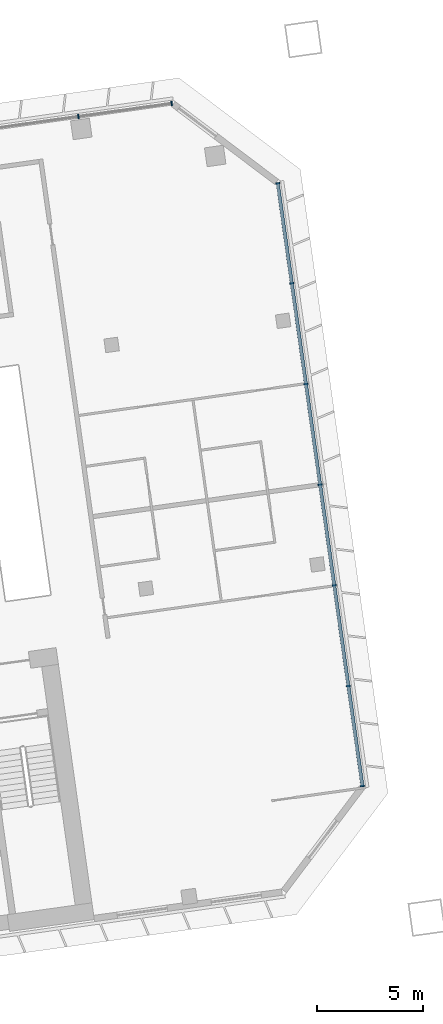
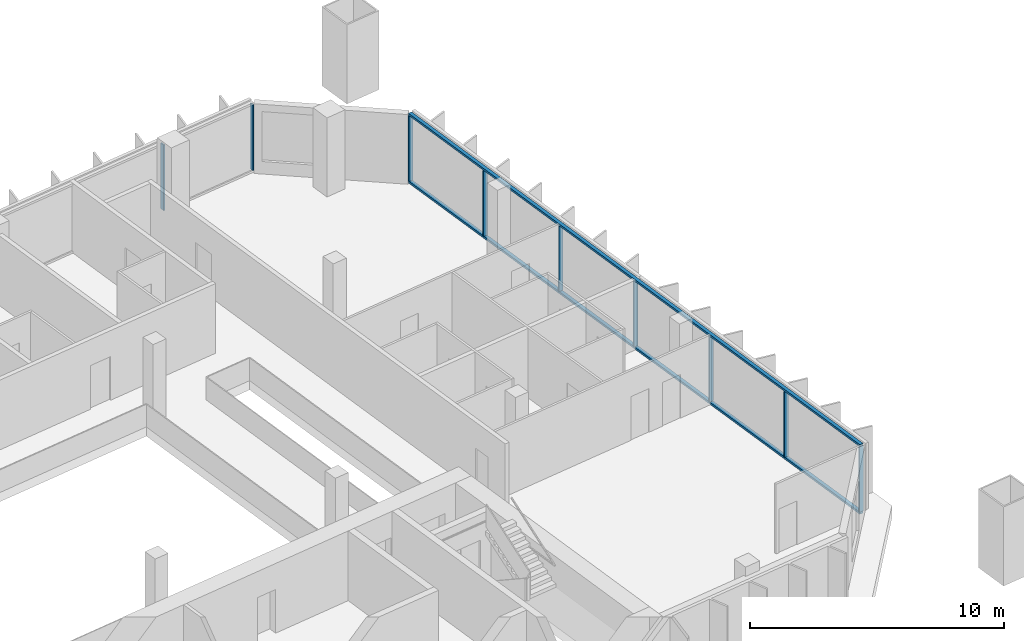
# One storey, part 11 of 26: 11 members, 2 elements without a shape of their own.
"""IFC4 building model written with IfcOpenShell, lengths in metres."""

from ifc_helpers import new_model, si_unit, direction, frame, origin, origin_2d, place, context, subcontext, project, spatial, rectangle, extrude, material, material_profile, profile_set, type_object, element, aggregate, save


model = new_model("IFC4")

# Units and contexts
model_context = context("Model", 3, precision=1e-05, world=origin(), true_north=direction((0.0, 1.0)))
body_context = subcontext(model_context, "Body", "Model", "MODEL_VIEW")
ifc_project = project(units=[si_unit("LENGTHUNIT", "METRE"), si_unit("AREAUNIT", "SQUARE_METRE"), si_unit("VOLUMEUNIT", "CUBIC_METRE"), si_unit("PLANEANGLEUNIT", "RADIAN"), si_unit("MASSUNIT", "GRAM", prefix="KILO")], contexts=[model_context])

# Site, building, storey
site_placement = place(None, origin())
site = spatial("IfcSite", under=ifc_project, at=site_placement, CompositionType="ELEMENT")
building_placement = place(site_placement, origin())
building = spatial("IfcBuilding", under=site, at=building_placement, Name="Mirante Cascada Hotel Towers", CompositionType="ELEMENT")
storey_placement = place(building_placement, frame((0.0, 0.0, 106.3)))
storey = spatial("IfcBuildingStorey", under=building, at=storey_placement, Name="L23", CompositionType="ELEMENT", Elevation=106.3)

# Curtain wall, members
ifc_material_1 = material(Name="Aluminium mullion and transom frame with clear laminated glass", Category="aluminium")
curtain_wall_type_1 = type_object("IfcCurtainWallType", Name="Ribbon curtain wall ECW1", PredefinedType="NOTDEFINED", material=ifc_material_1)
curtain_wall_1_placement = place(storey_placement, origin())
curtain_wall_1 = element("IfcCurtainWall", 1, at=curtain_wall_1_placement, inside=storey, type_object=curtain_wall_type_1, Name="Front ribbon wall T2 L23", PredefinedType="NOTDEFINED")
ifc_material_2 = material(Name="Anodised aluminium extrusion", Category="aluminium")
ifc_material_profile_1 = material_profile(ifc_material_2, rectangle(XDim=0.2, YDim=0.065, at=origin_2d()), Name="ECW1 MULLION 65x200")
ifc_profile_set_1 = profile_set([ifc_material_profile_1], Name="Anodised aluminium extrusion")
member_type_1 = type_object("IfcMemberType", Name="ECW1 mullion 65x200", PredefinedType="MULLION", material=ifc_profile_set_1)
member_1_placement = place(storey_placement, frame((94.126, 26.0476, 0.1), z_axis=(0.0, 0.0, 1.0), x_axis=(0.1391731, -0.9902681, 0.0)))
member_1 = element("IfcMember", 2, at=member_1_placement, type_object=member_type_1, Name="ECW1 mullion 1", PredefinedType="MULLION", context=body_context, shape_type="SweptSolid", body=[
    extrude(rectangle(XDim=0.2, YDim=0.065, at=origin_2d()), origin(), (0.0, 0.0, 1.0), 3.15),
])
member_2_placement = place(storey_placement, frame((89.7107, 25.427, 0.1), z_axis=(0.0, 0.0, 1.0), x_axis=(0.1391731, -0.9902681, 0.0)))
member_2 = element("IfcMember", 3, at=member_2_placement, type_object=member_type_1, Name="ECW1 mullion 2", PredefinedType="MULLION", context=body_context, shape_type="SweptSolid", body=[
    extrude(rectangle(XDim=0.2, YDim=0.065, at=origin_2d()), origin(), (0.0, 0.0, 1.0), 3.15),
])
aggregate(curtain_wall_1, [member_1, member_2])

ifc_material_3 = material(Name="Aluminium mullion and transom frame with clear laminated glass", Category="aluminium")
curtain_wall_type_2 = type_object("IfcCurtainWallType", Name="End ribbon curtain wall ECW2", PredefinedType="NOTDEFINED", material=ifc_material_3)
curtain_wall_2_placement = place(storey_placement, origin())
curtain_wall_2 = element("IfcCurtainWall", 4, at=curtain_wall_2_placement, inside=storey, type_object=curtain_wall_type_2, Name="Outer end wall T2 L23", PredefinedType="NOTDEFINED")
ifc_material_4 = material(Name="Anodised aluminium extrusion", Category="aluminium")
ifc_material_profile_2 = material_profile(ifc_material_4, rectangle(XDim=0.2, YDim=0.065, at=origin_2d()), Name="ECW2 MULLION 65x200")
ifc_profile_set_2 = profile_set([ifc_material_profile_2], Name="Anodised aluminium extrusion")
member_type_2 = type_object("IfcMemberType", Name="ECW2 mullion 65x200", PredefinedType="MULLION", material=ifc_profile_set_2)
member_3_placement = place(storey_placement, frame((103.1556, -6.2656, 0.1), z_axis=(0.0, 0.0, 1.0), x_axis=(-0.9902681, -0.1391731, 0.0)))
member_3 = element("IfcMember", 5, at=member_3_placement, type_object=member_type_2, Name="ECW2 mullion 1", PredefinedType="MULLION", context=body_context, shape_type="SweptSolid", body=[
    extrude(rectangle(XDim=0.2, YDim=0.065, at=origin_2d()), origin(), (0.0, 0.0, 1.0), 3.15),
])
member_4_placement = place(storey_placement, frame((102.4903, -1.532, 0.1), z_axis=(0.0, 0.0, 1.0), x_axis=(-0.9902681, -0.1391731, 0.0)))
member_4 = element("IfcMember", 6, at=member_4_placement, type_object=member_type_2, Name="ECW2 mullion 2", PredefinedType="MULLION", context=body_context, shape_type="SweptSolid", body=[
    extrude(rectangle(XDim=0.2, YDim=0.065, at=origin_2d()), origin(), (0.0, 0.0, 1.0), 3.15),
])
member_5_placement = place(storey_placement, frame((101.8205, 3.2338, 0.1), z_axis=(0.0, 0.0, 1.0), x_axis=(-0.9902681, -0.1391731, 0.0)))
member_5 = element("IfcMember", 7, at=member_5_placement, type_object=member_type_2, Name="ECW2 mullion 3", PredefinedType="MULLION", context=body_context, shape_type="SweptSolid", body=[
    extrude(rectangle(XDim=0.2, YDim=0.065, at=origin_2d()), origin(), (0.0, 0.0, 1.0), 3.15),
])
member_6_placement = place(storey_placement, frame((101.1508, 7.9996, 0.1), z_axis=(0.0, 0.0, 1.0), x_axis=(-0.9902681, -0.1391731, 0.0)))
member_6 = element("IfcMember", 8, at=member_6_placement, type_object=member_type_2, Name="ECW2 mullion 4", PredefinedType="MULLION", context=body_context, shape_type="SweptSolid", body=[
    extrude(rectangle(XDim=0.2, YDim=0.065, at=origin_2d()), origin(), (0.0, 0.0, 1.0), 3.15),
])
member_7_placement = place(storey_placement, frame((100.481, 12.7654, 0.1), z_axis=(0.0, 0.0, 1.0), x_axis=(-0.9902681, -0.1391731, 0.0)))
member_7 = element("IfcMember", 9, at=member_7_placement, type_object=member_type_2, Name="ECW2 mullion 5", PredefinedType="MULLION", context=body_context, shape_type="SweptSolid", body=[
    extrude(rectangle(XDim=0.2, YDim=0.065, at=origin_2d()), origin(), (0.0, 0.0, 1.0), 3.15),
])
member_8_placement = place(storey_placement, frame((99.8112, 17.5312, 0.1), z_axis=(0.0, 0.0, 1.0), x_axis=(-0.9902681, -0.1391731, 0.0)))
member_8 = element("IfcMember", 10, at=member_8_placement, type_object=member_type_2, Name="ECW2 mullion 6", PredefinedType="MULLION", context=body_context, shape_type="SweptSolid", body=[
    extrude(rectangle(XDim=0.2, YDim=0.065, at=origin_2d()), origin(), (0.0, 0.0, 1.0), 3.15),
])
member_9_placement = place(storey_placement, frame((99.1459, 22.2648, 0.1), z_axis=(0.0, 0.0, 1.0), x_axis=(-0.9902681, -0.1391731, 0.0)))
member_9 = element("IfcMember", 11, at=member_9_placement, type_object=member_type_2, Name="ECW2 mullion 7", PredefinedType="MULLION", context=body_context, shape_type="SweptSolid", body=[
    extrude(rectangle(XDim=0.2, YDim=0.065, at=origin_2d()), origin(), (0.0, 0.0, 1.0), 3.15),
])
ifc_material_5 = material(Name="Anodised aluminium extrusion", Category="aluminium")
ifc_material_profile_3 = material_profile(ifc_material_5, rectangle(XDim=0.16, YDim=0.1, at=origin_2d()), Name="ECW2 TRANSOM 100x160")
ifc_profile_set_3 = profile_set([ifc_material_profile_3], Name="Anodised aluminium extrusion")
member_type_3 = type_object("IfcMemberType", Name="ECW2 transom 100x160", PredefinedType="USERDEFINED", material=ifc_profile_set_3)
member_10_placement = place(storey_placement, frame((103.1601, -6.2978, 0.05), z_axis=(-0.1391723, 0.9902682, 0.0), x_axis=(-0.9902682, -0.1391723, 0.0)))
member_10 = element("IfcMember", 12, at=member_10_placement, type_object=member_type_3, Name="ECW2 sill transom", ObjectType="TRANSOM", PredefinedType="USERDEFINED", context=body_context, shape_type="SweptSolid", body=[
    extrude(rectangle(XDim=0.16, YDim=0.1, at=origin_2d()), origin(), (0.0, 0.0, 1.0), 28.8757),
])
member_11_placement = place(storey_placement, frame((103.1601, -6.2978, 3.3), z_axis=(-0.1391723, 0.9902682, 0.0), x_axis=(-0.9902682, -0.1391723, 0.0)))
member_11 = element("IfcMember", 13, at=member_11_placement, type_object=member_type_3, Name="ECW2 head transom", ObjectType="TRANSOM", PredefinedType="USERDEFINED", context=body_context, shape_type="SweptSolid", body=[
    extrude(rectangle(XDim=0.16, YDim=0.1, at=origin_2d()), origin(), (0.0, 0.0, 1.0), 28.8757),
])
aggregate(curtain_wall_2, [member_10, member_11, member_3, member_4, member_5, member_6, member_7, member_8, member_9])

save(model, "model.ifc")
